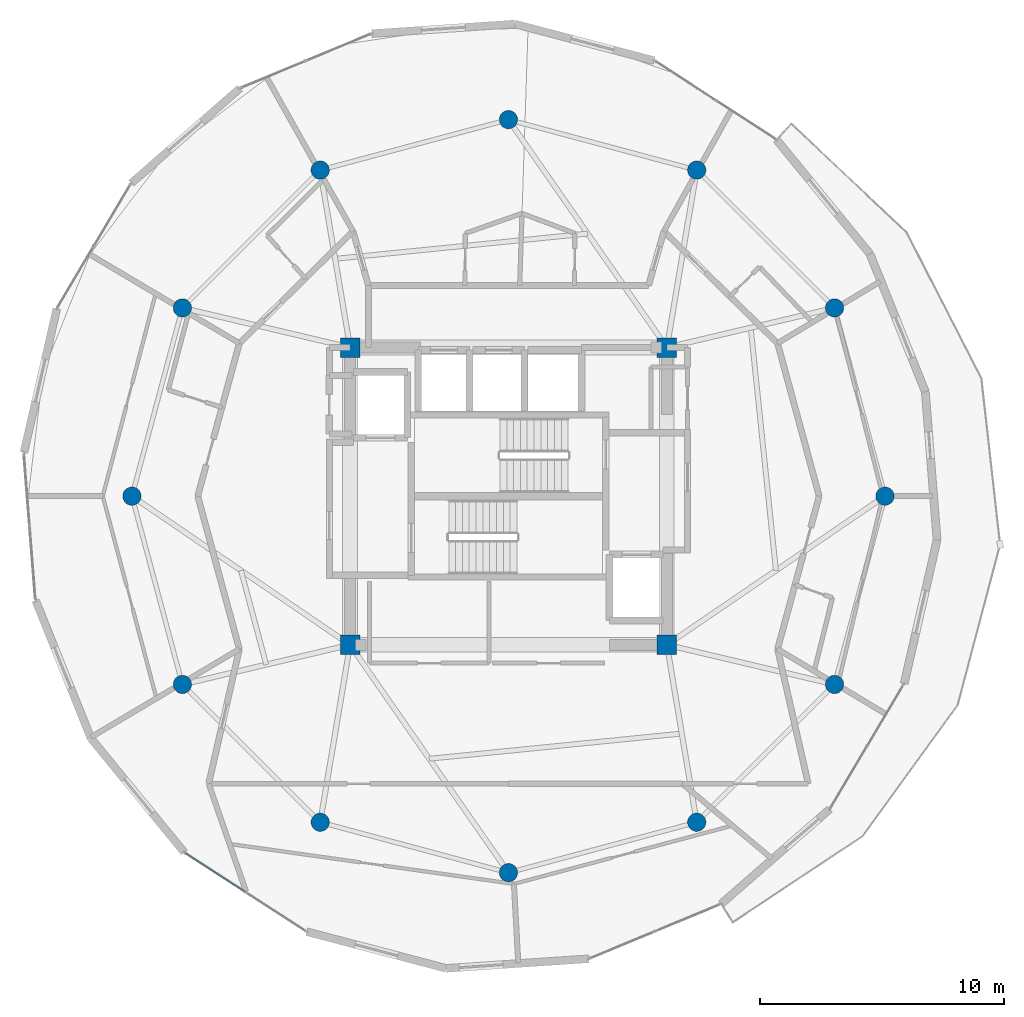
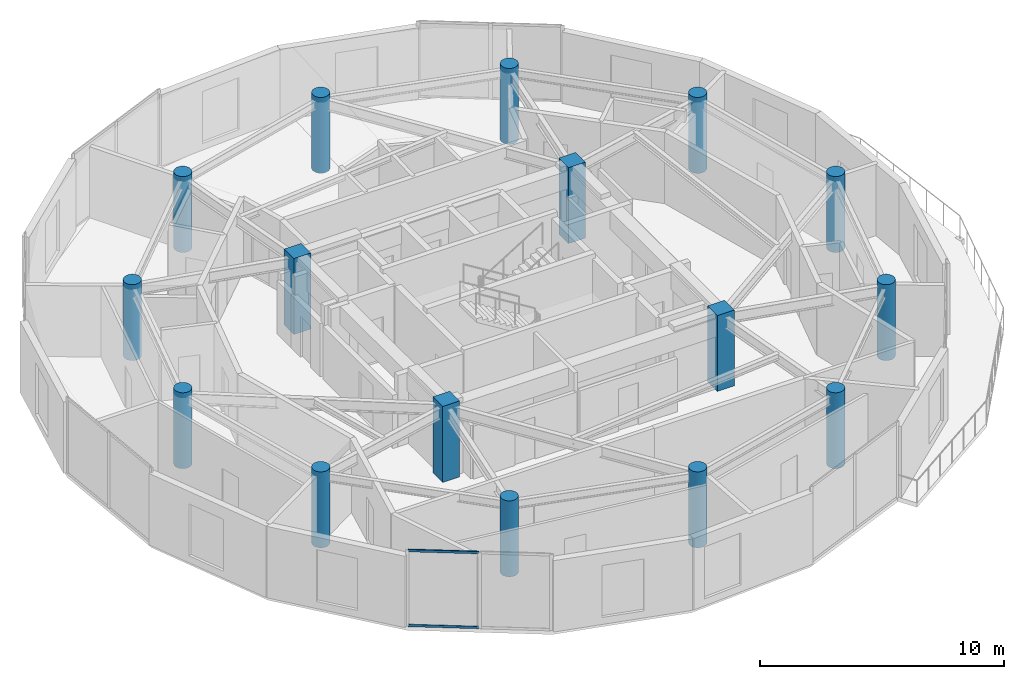
# One storey, part 1 of 22: 16 columns, 2 members, 1 element without a shape of its own.
"""IFC4 building model written with IfcOpenShell, lengths in metres."""

from ifc_helpers import new_model, si_unit, direction, frame, origin, origin_2d, place, context, subcontext, project, spatial, rectangle, hollow_rectangle, circle, extrude, source, transform, mapped, material, layer, layer_set, material_profile, profile_set, type_object, element, aggregate, save


model = new_model("IFC4")

# Units and contexts
model_context = context("Model", 3, precision=1e-05, world=origin(), true_north=direction((0.0, 1.0)))
body_context = subcontext(model_context, "Body", "Model", "MODEL_VIEW")
ifc_project = project(units=[si_unit("LENGTHUNIT", "METRE"), si_unit("AREAUNIT", "SQUARE_METRE"), si_unit("VOLUMEUNIT", "CUBIC_METRE"), si_unit("PLANEANGLEUNIT", "RADIAN"), si_unit("MASSUNIT", "GRAM", prefix="KILO")], contexts=[model_context])

# Site, building, storey
site_placement = place(None, origin())
site = spatial("IfcSite", under=ifc_project, at=site_placement, CompositionType="ELEMENT")
building_placement = place(site_placement, origin())
building = spatial("IfcBuilding", under=site, at=building_placement, Name="Solvirekh Grand Hotel", CompositionType="ELEMENT")
storey_placement = place(building_placement, frame((0.0, 0.0, 239.199951171875)))
storey = spatial("IfcBuildingStorey", under=building, at=storey_placement, Name="L62", CompositionType="ELEMENT", Elevation=239.199951171875)

# Columns
ifc_material_1 = material(Name="Concrete C50/60", Category="concrete")
ifc_material_profile_1 = material_profile(ifc_material_1, rectangle(XDim=0.800048828125, YDim=0.800048828125, at=origin_2d()), Name="RC 800X800")
ifc_profile_set_1 = profile_set([ifc_material_profile_1], Name="Concrete C50/60")
column_type_1 = type_object("IfcColumnType", Name="Col_Core_800", PredefinedType="COLUMN", material=ifc_profile_set_1)
for number, where, z_axis, x_axis, name in (
    (1, (-6.5, -6.10009765625, 0.0), (0.0, 0.0, 1.0), (1.0, 0.0, 0.0), "L62 core corner column CC1"),
    (2, (6.5, -6.10009765625, 0.0), (0.0, 0.0, 1.0), (1.0, 0.0, 0.0), "L62 core corner column CC2"),
    (3, (6.5, 6.10009765625, 0.0), (0.0, 0.0, 1.0), (1.0, 0.0, 0.0), "L62 core corner column CC3"),
    (4, (-6.5, 6.10009765625, 0.0), (0.0, 0.0, 1.0), (1.0, 0.0, 0.0), "L62 core corner column CC4"),
):
    element("IfcColumn", number, at=place(storey_placement, frame(where, z_axis=z_axis, x_axis=x_axis)), inside=storey, type_object=column_type_1, Name=name, PredefinedType="COLUMN", context=body_context, shape_type="SweptSolid", body=[
        extrude(rectangle(XDim=0.800048828125, YDim=0.800048828125, at=origin_2d()), origin(), (0.0, 0.0, 1.0), 3.800048828125),
    ])
ifc_material_profile_2 = material_profile(ifc_material_1, circle(Radius=0.375, at=origin_2d()), Name="RC CIRC D750")
ifc_profile_set_2 = profile_set([ifc_material_profile_2], Name="Concrete C50/60")
column_type_2 = type_object("IfcColumnType", Name="Col_Z4_D750", PredefinedType="COLUMN", material=ifc_profile_set_2)
for number, where, z_axis, x_axis, name in (
    (5, (15.449951171875, 0.0, 0.0), (0.0, 0.0, 1.0), (1.0, 0.0, 0.0), "L62 perimeter column P01"),
    (6, (13.3798828125, 7.72509765625, 0.0), (0.0, 0.0, 1.0), (1.0, 0.0, 0.0), "L62 perimeter column P02"),
    (7, (7.72509765625, 13.3798828125, 0.0), (0.0, 0.0, 1.0), (1.0, 0.0, 0.0), "L62 perimeter column P03"),
    (8, (0.0, 15.449951171875, 0.0), (0.0, 0.0, 1.0), (1.0, 0.0, 0.0), "L62 perimeter column P04"),
    (9, (-7.72509765625, 13.3798828125, 0.0), (0.0, 0.0, 1.0), (1.0, 0.0, 0.0), "L62 perimeter column P05"),
    (10, (-13.3798828125, 7.72509765625, 0.0), (0.0, 0.0, 1.0), (1.0, 0.0, 0.0), "L62 perimeter column P06"),
    (11, (-15.449951171875, 0.0, 0.0), (0.0, 0.0, 1.0), (1.0, 0.0, 0.0), "L62 perimeter column P07"),
    (12, (-13.3798828125, -7.72509765625, 0.0), (0.0, 0.0, 1.0), (1.0, 0.0, 0.0), "L62 perimeter column P08"),
    (13, (-7.72509765625, -13.3798828125, 0.0), (0.0, 0.0, 1.0), (1.0, 0.0, 0.0), "L62 perimeter column P09"),
    (14, (0.0, -15.449951171875, 0.0), (0.0, 0.0, 1.0), (1.0, 0.0, 0.0), "L62 perimeter column P10"),
    (15, (7.72509765625, -13.3798828125, 0.0), (0.0, 0.0, 1.0), (1.0, 0.0, 0.0), "L62 perimeter column P11"),
    (16, (13.3798828125, -7.72509765625, 0.0), (0.0, 0.0, 1.0), (1.0, 0.0, 0.0), "L62 perimeter column P12"),
):
    element("IfcColumn", number, at=place(storey_placement, frame(where, z_axis=z_axis, x_axis=x_axis)), inside=storey, type_object=column_type_2, Name=name, PredefinedType="COLUMN", context=body_context, shape_type="SweptSolid", body=[
        extrude(circle(Radius=0.375, at=origin_2d()), origin(), (0.0, 0.0, 1.0), 3.800048828125),
    ])

# Curtain wall, members
ifc_material_2 = material(Name="Anodized Bronze Aluminium 6063-T6", Category="aluminium")
ifc_layer = layer(ifc_material_2, 0.159912109375)
ifc_layer_set = layer_set([ifc_layer], Name="Anodized Bronze Aluminium 6063-T6")
curtain_wall_type = type_object("IfcCurtainWallType", Name="CW_Sys4_HighZoneFlushBronzeCW", PredefinedType="NOTDEFINED", material=ifc_layer_set)
curtain_wall_placement = place(storey_placement, origin())
curtain_wall = element("IfcCurtainWall", 17, at=curtain_wall_placement, inside=storey, type_object=curtain_wall_type, Name="L62 unitised bronze-glass curtain wall CW-L62-C18", PredefinedType="NOTDEFINED")
ifc_material_profile_3 = material_profile(ifc_material_2, hollow_rectangle(XDim=0.054931640625, YDim=0.1201171875, WallThickness=0.00390625, at=origin_2d()), Name="ALU RHS 120X55X4")
ifc_profile_set_3 = profile_set([ifc_material_profile_3], Name="Anodized Bronze Aluminium 6063-T6")
member_type = type_object("IfcMemberType", Name="CWTransom_Sys4", PredefinedType="USERDEFINED", material=ifc_profile_set_3)
shared_shape = source(origin(), body_context, "Body", "SweptSolid", [
    extrude(hollow_rectangle(XDim=0.054931640625, YDim=0.1201171875, WallThickness=0.00390625, at=origin_2d()), origin(), (0.0, 0.0, 1.0), 2.902587890625),
])
member_1_placement = place(storey_placement, frame((-13.250732421875, -14.655517578125, 0.027587890625), z_axis=(0.839403131285, -0.543509322081, 0.0), x_axis=(0.543509322081, 0.839403131285, 0.0)))
member_1 = element("IfcMember", 18, at=member_1_placement, type_object=member_type, Name="U04 transom 1.1", ObjectType="TRANSOM", PredefinedType="USERDEFINED", context=body_context, shape_type="MappedRepresentation", body=[
    mapped(shared_shape, transform((0.0, 0.0, 0.0), x_axis=(1.0, 0.0, 0.0), y_axis=(0.0, 1.0, 0.0), z_axis=(0.0, 0.0, 1.0), scale=1.0)),
])
member_2_placement = place(storey_placement, frame((-13.250732421875, -14.655517578125, 3.7724609375), z_axis=(0.839403131285, -0.543509322081, 0.0), x_axis=(0.543509322081, 0.839403131285, 0.0)))
member_2 = element("IfcMember", 19, at=member_2_placement, type_object=member_type, Name="U04 transom 1.2", ObjectType="TRANSOM", PredefinedType="USERDEFINED", context=body_context, shape_type="MappedRepresentation", body=[
    mapped(shared_shape, transform((0.0, 0.0, 0.0), x_axis=(1.0, 0.0, 0.0), y_axis=(0.0, 1.0, 0.0), z_axis=(0.0, 0.0, 1.0), scale=1.0)),
])
aggregate(curtain_wall, [member_1, member_2])

save(model, "model.ifc")
